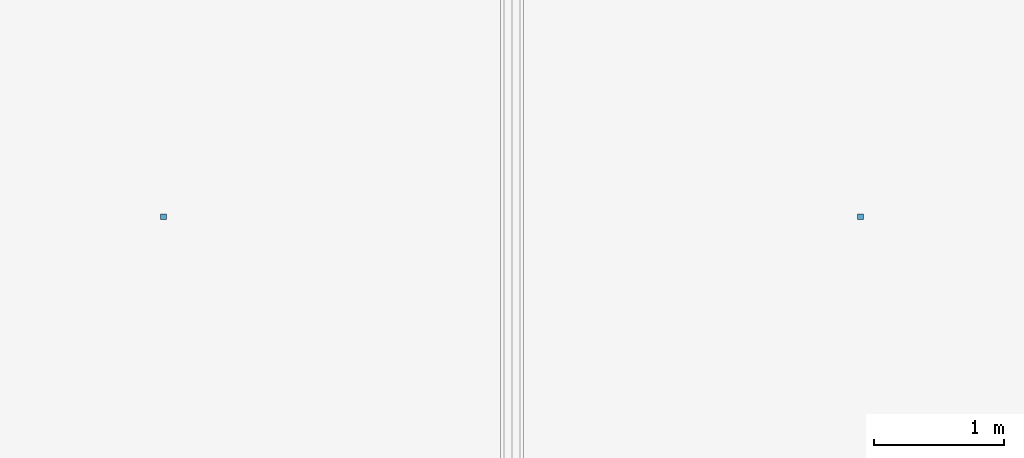
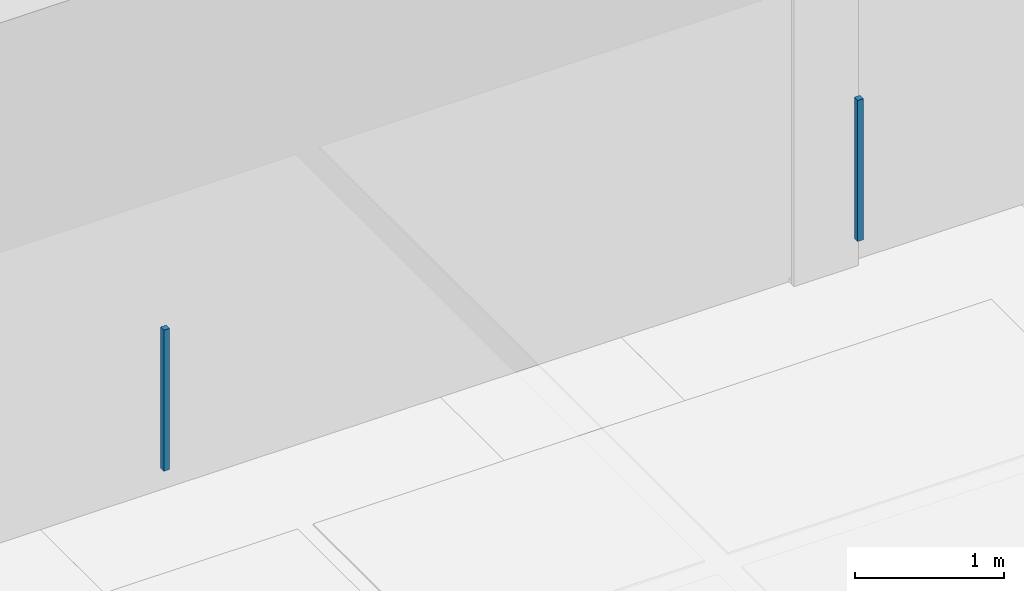
# One storey, part 33 of 48: 2 discrete accessories.
"""IFC4 building model written with IfcOpenShell, lengths in metres."""

from ifc_helpers import new_model, si_unit, direction, frame, origin, origin_2d, place, context, subcontext, project, spatial, rectangle, extrude, material, type_object, element, save


model = new_model("IFC4")

# Units and contexts
model_context = context("Model", 3, precision=1e-05, world=origin(), true_north=direction((0.0, 1.0)))
body_context = subcontext(model_context, "Body", "Model", "MODEL_VIEW")
ifc_project = project(units=[si_unit("LENGTHUNIT", "METRE"), si_unit("AREAUNIT", "SQUARE_METRE"), si_unit("VOLUMEUNIT", "CUBIC_METRE"), si_unit("PLANEANGLEUNIT", "RADIAN"), si_unit("MASSUNIT", "GRAM", prefix="KILO"), si_unit("THERMODYNAMICTEMPERATUREUNIT", "KELVIN"), si_unit("POWERUNIT", "WATT")], contexts=[model_context])

# Site, building, storey
site_placement = place(None, origin())
site = spatial("IfcSite", under=ifc_project, at=site_placement, CompositionType="ELEMENT")
building_placement = place(site_placement, origin())
building = spatial("IfcBuilding", under=site, at=building_placement, Name="Tallowbark Science Centre", CompositionType="ELEMENT")
storey_placement = place(building_placement, frame((0.0, 0.0, -4.5)))
storey = spatial("IfcBuildingStorey", under=building, at=storey_placement, Name="B1", CompositionType="ELEMENT", Elevation=-4.5)

# Discrete accessories
ifc_material = material(Name="Galvanised Steel Grade C350L0 (350 MPa)", Category="steel")
discrete_accessory_type = type_object("IfcDiscreteAccessoryType", Name="ACC-CLG-HNG", PredefinedType="BRACKET", material=ifc_material)
for number, where, z_axis, x_axis, name in (
    (1, (78.3125, 36.666748046875, 3.10595703125), (0.0, 0.0, 1.0), (1.0, 0.0, 0.0), "Ceiling Hanger Bracket B1-18"),
    (2, (83.6875, 36.666748046875, 3.10595703125), (0.0, 0.0, 1.0), (1.0, 0.0, 0.0), "Ceiling Hanger Bracket B1-24"),
):
    element("IfcDiscreteAccessory", number, at=place(storey_placement, frame(where, z_axis=z_axis, x_axis=x_axis)), inside=storey, type_object=discrete_accessory_type, Name=name, PredefinedType="BRACKET", context=body_context, shape_type="SweptSolid", body=[
        extrude(rectangle(XDim=0.044921875, YDim=0.044921875, at=origin_2d()), origin(), (0.0, 0.0, 1.0), 1.156982421875),
    ])

save(model, "model.ifc")
